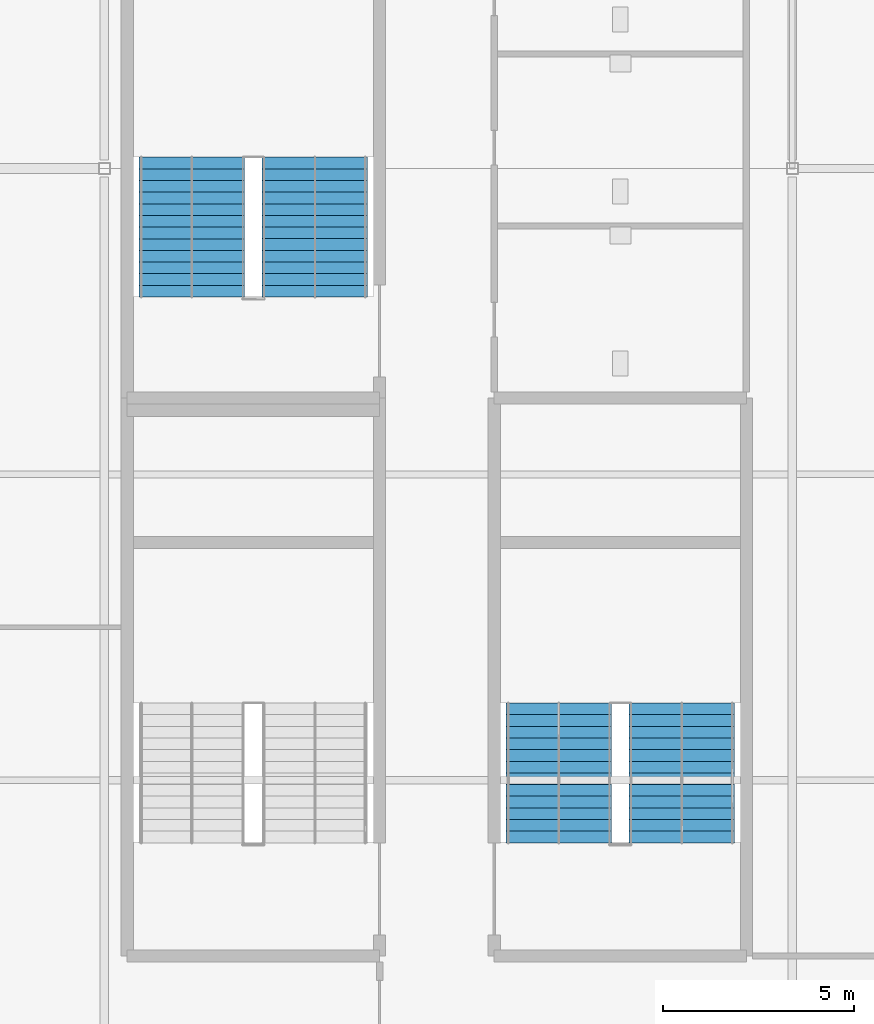
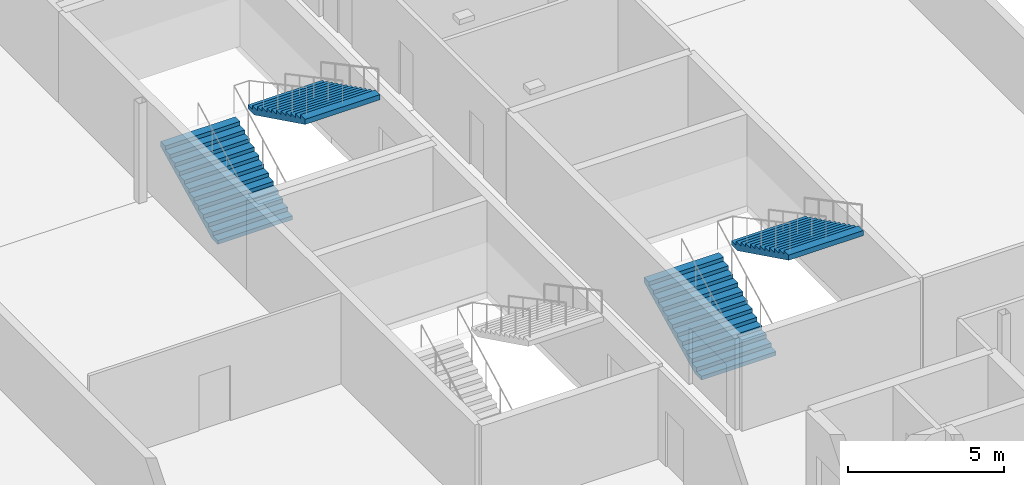
# One storey, part 45 of 55: 4 stair flights, 2 elements without a shape of their own.
"""IFC4 building model written with IfcOpenShell, lengths in metres."""

from ifc_helpers import new_model, si_unit, direction, frame, origin, place, context, subcontext, project, spatial, polygons, material, type_object, element, aggregate, save


model = new_model("IFC4")

# Units and contexts
model_context = context("Model", 3, precision=1e-05, world=origin(), true_north=direction((0.0, 1.0)))
body_context = subcontext(model_context, "Body", "Model", "MODEL_VIEW")
ifc_project = project(units=[si_unit("LENGTHUNIT", "METRE"), si_unit("AREAUNIT", "SQUARE_METRE"), si_unit("VOLUMEUNIT", "CUBIC_METRE"), si_unit("PLANEANGLEUNIT", "RADIAN"), si_unit("MASSUNIT", "GRAM", prefix="KILO")], contexts=[model_context])

# Site, building, storey
site_placement = place(None, origin())
site = spatial("IfcSite", under=ifc_project, at=site_placement, CompositionType="ELEMENT")
building_placement = place(site_placement, origin())
building = spatial("IfcBuilding", under=site, at=building_placement, Name="Kisiwana Market Hall", CompositionType="ELEMENT")
storey_placement = place(building_placement, frame((0.0, 0.0, 37.800048828125)))
storey = spatial("IfcBuildingStorey", under=building, at=storey_placement, Name="L08", CompositionType="ELEMENT", Elevation=37.800048828125)

# Stair, stair flights
ifc_material_1 = material(Name="Concrete C32/40", Category="concrete")
stair_type = type_object("IfcStairType", Name="ST-ESC-3900", PredefinedType="TWO_STRAIGHT_RUN_STAIR", material=ifc_material_1)
stair_1_placement = place(storey_placement, origin())
stair_1 = element("IfcStair", 1, at=stair_1_placement, inside=storey, type_object=stair_type, Name="Escape stair ST-E3-L08", PredefinedType="TWO_STRAIGHT_RUN_STAIR")
ifc_material_2 = material(Name="Concrete C32/40", Category="concrete")
stair_flight_type = type_object("IfcStairFlightType", Name="SF-ESC-3900", PredefinedType="STRAIGHT", material=ifc_material_2)
stair_flight_1_placement = place(storey_placement, frame((182.889892578125, 42.360107421875, 0.0), z_axis=(0.0, 0.0, 1.0), x_axis=(0.0, 1.0, 0.0)))
stair_flight_1 = element("IfcStairFlight", 2, at=stair_flight_1_placement, type_object=stair_flight_type, Name="ST-E3-L08 flight 1", NumberOfRisers=13, NumberOfTreads=12, PredefinedType="STRAIGHT", RiserHeight=0.15, TreadLength=0.305, context=body_context, shape_type="Tessellation", body=[
    polygons([(0.0, -1.380127, 0.0), (0.0, -0.690125, 0.0), (0.0, -0.000122, 0.0), (0.0, 0.68988, 0.0), (0.0, 1.379883, 0.0), (0.0, -1.380127, 0.149902), (0.0, -0.690125, 0.149902), (0.0, -0.000122, 0.149902), (0.0, 0.68988, 0.149902), (0.0, 1.379883, 0.149902), (0.304932, -1.380127, 0.149902), (0.304932, -0.690125, 0.149902), (0.304932, -0.000122, 0.149902), (0.304932, 0.68988, 0.149902), (0.304932, 1.379883, 0.149902), (0.304932, -1.380127, 0.300049), (0.304932, -0.690125, 0.300049), (0.304932, -0.000122, 0.300049), (0.304932, 0.68988, 0.300049), (0.304932, 1.379883, 0.300049), (0.610107, -1.380127, 0.300049), (0.610107, -0.690125, 0.300049), (0.610107, -0.000122, 0.300049), (0.610107, 0.68988, 0.300049), (0.610107, 1.379883, 0.300049), (0.610107, -1.380127, 0.449951), (0.610107, -0.690125, 0.449951), (0.610107, -0.000122, 0.449951), (0.610107, 0.68988, 0.449951), (0.610107, 1.379883, 0.449951), (0.915039, -1.380127, 0.449951), (0.915039, -0.690125, 0.449951), (0.915039, -0.000122, 0.449951), (0.915039, 0.68988, 0.449951), (0.915039, 1.379883, 0.449951), (0.915039, -1.380127, 0.600098), (0.915039, -0.690125, 0.600098), (0.915039, -0.000122, 0.600098), (0.915039, 0.68988, 0.600098), (0.915039, 1.379883, 0.600098), (1.219971, -1.380127, 0.600098), (1.219971, -0.690125, 0.600098), (1.219971, -0.000122, 0.600098), (1.219971, 0.68988, 0.600098), (1.219971, 1.379883, 0.600098), (1.219971, -1.380127, 0.75), (1.219971, -0.690125, 0.75), (1.219971, -0.000122, 0.75), (1.219971, 0.68988, 0.75), (1.219971, 1.379883, 0.75), (1.524902, -1.380127, 0.75), (1.524902, -0.690125, 0.75), (1.524902, -0.000122, 0.75), (1.524902, 0.68988, 0.75), (1.524902, 1.379883, 0.75), (1.524902, -1.380127, 0.899902), (1.524902, -0.690125, 0.899902), (1.524902, -0.000122, 0.899902), (1.524902, 0.68988, 0.899902), (1.524902, 1.379883, 0.899902), (1.830078, -1.380127, 0.899902), (1.830078, -0.690125, 0.899902), (1.830078, -0.000122, 0.899902), (1.830078, 0.68988, 0.899902), (1.830078, 1.379883, 0.899902), (1.830078, -1.380127, 1.050049), (1.830078, -0.690125, 1.050049), (1.830078, -0.000122, 1.050049), (1.830078, 0.68988, 1.050049), (1.830078, 1.379883, 1.050049), (2.13501, -1.380127, 1.050049), (2.13501, -0.690125, 1.050049), (2.13501, -0.000122, 1.050049), (2.13501, 0.68988, 1.050049), (2.13501, 1.379883, 1.050049), (2.13501, -1.380127, 1.199951), (2.13501, -0.690125, 1.199951), (2.13501, -0.000122, 1.199951), (2.13501, 0.68988, 1.199951), (2.13501, 1.379883, 1.199951), (2.439941, -1.380127, 1.199951), (2.439941, -0.690125, 1.199951), (2.439941, -0.000122, 1.199951), (2.439941, 0.68988, 1.199951), (2.439941, 1.379883, 1.199951), (2.439941, -1.380127, 1.350098), (2.439941, -0.690125, 1.350098), (2.439941, -0.000122, 1.350098), (2.439941, 0.68988, 1.350098), (2.439941, 1.379883, 1.350098), (2.745117, -1.380127, 1.350098), (2.745117, -0.690125, 1.350098), (2.745117, -0.000122, 1.350098), (2.745117, 0.68988, 1.350098), (2.745117, 1.379883, 1.350098), (2.745117, -1.380127, 1.5), (2.745117, -0.690125, 1.5), (2.745117, -0.000122, 1.5), (2.745117, 0.68988, 1.5), (2.745117, 1.379883, 1.5), (3.050049, -1.380127, 1.5), (3.050049, -0.690125, 1.5), (3.050049, -0.000122, 1.5), (3.050049, 0.68988, 1.5), (3.050049, 1.379883, 1.5), (3.050049, -1.380127, 1.649902), (3.050049, -0.690125, 1.649902), (3.050049, -0.000122, 1.649902), (3.050049, 0.68988, 1.649902), (3.050049, 1.379883, 1.649902), (3.35498, -1.380127, 1.649902), (3.35498, -0.690125, 1.649902), (3.35498, -0.000122, 1.649902), (3.35498, 0.68988, 1.649902), (3.35498, 1.379883, 1.649902), (3.35498, -1.380127, 1.800049), (3.35498, -0.690125, 1.800049), (3.35498, -0.000122, 1.800049), (3.35498, 0.68988, 1.800049), (3.35498, 1.379883, 1.800049), (3.659912, -1.380127, 1.800049), (3.659912, -0.690125, 1.800049), (3.659912, -0.000122, 1.800049), (3.659912, 0.68988, 1.800049), (3.659912, 1.379883, 1.800049), (3.659912, -1.380127, 1.599365), (3.659912, -0.690125, 1.599365), (3.659912, -0.000122, 1.599365), (3.659912, 0.68988, 1.599365), (3.659912, 1.379883, 1.599365), (0.407715, -1.380127, 0.0), (0.407715, -0.690125, 0.0), (0.407715, -0.000122, 0.0), (0.407715, 0.68988, 0.0), (0.407715, 1.379883, 0.0)], [[[1, 6, 7, 2]], [[2, 7, 8, 3]], [[3, 8, 9, 4]], [[4, 9, 10, 5]], [[6, 11, 12, 7]], [[7, 12, 13, 8]], [[8, 13, 14, 9]], [[9, 14, 15, 10]], [[11, 16, 17, 12]], [[12, 17, 18, 13]], [[13, 18, 19, 14]], [[14, 19, 20, 15]], [[16, 21, 22, 17]], [[17, 22, 23, 18]], [[18, 23, 24, 19]], [[19, 24, 25, 20]], [[21, 26, 27, 22]], [[22, 27, 28, 23]], [[23, 28, 29, 24]], [[24, 29, 30, 25]], [[26, 31, 32, 27]], [[27, 32, 33, 28]], [[28, 33, 34, 29]], [[29, 34, 35, 30]], [[31, 36, 37, 32]], [[32, 37, 38, 33]], [[33, 38, 39, 34]], [[34, 39, 40, 35]], [[36, 41, 42, 37]], [[37, 42, 43, 38]], [[38, 43, 44, 39]], [[39, 44, 45, 40]], [[41, 46, 47, 42]], [[42, 47, 48, 43]], [[43, 48, 49, 44]], [[44, 49, 50, 45]], [[46, 51, 52, 47]], [[47, 52, 53, 48]], [[48, 53, 54, 49]], [[49, 54, 55, 50]], [[51, 56, 57, 52]], [[52, 57, 58, 53]], [[53, 58, 59, 54]], [[54, 59, 60, 55]], [[56, 61, 62, 57]], [[57, 62, 63, 58]], [[58, 63, 64, 59]], [[59, 64, 65, 60]], [[61, 66, 67, 62]], [[62, 67, 68, 63]], [[63, 68, 69, 64]], [[64, 69, 70, 65]], [[66, 71, 72, 67]], [[67, 72, 73, 68]], [[68, 73, 74, 69]], [[69, 74, 75, 70]], [[71, 76, 77, 72]], [[72, 77, 78, 73]], [[73, 78, 79, 74]], [[74, 79, 80, 75]], [[76, 81, 82, 77]], [[77, 82, 83, 78]], [[78, 83, 84, 79]], [[79, 84, 85, 80]], [[81, 86, 87, 82]], [[82, 87, 88, 83]], [[83, 88, 89, 84]], [[84, 89, 90, 85]], [[86, 91, 92, 87]], [[87, 92, 93, 88]], [[88, 93, 94, 89]], [[89, 94, 95, 90]], [[91, 96, 97, 92]], [[92, 97, 98, 93]], [[93, 98, 99, 94]], [[94, 99, 100, 95]], [[96, 101, 102, 97]], [[97, 102, 103, 98]], [[98, 103, 104, 99]], [[99, 104, 105, 100]], [[101, 106, 107, 102]], [[102, 107, 108, 103]], [[103, 108, 109, 104]], [[104, 109, 110, 105]], [[106, 111, 112, 107]], [[107, 112, 113, 108]], [[108, 113, 114, 109]], [[109, 114, 115, 110]], [[111, 116, 117, 112]], [[112, 117, 118, 113]], [[113, 118, 119, 114]], [[114, 119, 120, 115]], [[116, 121, 122, 117]], [[117, 122, 123, 118]], [[118, 123, 124, 119]], [[119, 124, 125, 120]], [[121, 126, 127, 122]], [[122, 127, 128, 123]], [[123, 128, 129, 124]], [[124, 129, 130, 125]], [[126, 131, 132, 127]], [[127, 132, 133, 128]], [[128, 133, 134, 129]], [[129, 134, 135, 130]], [[131, 1, 2, 132]], [[132, 2, 3, 133]], [[133, 3, 4, 134]], [[134, 4, 5, 135]], [[131, 126, 121, 116, 111, 106, 101, 96, 91, 86, 81, 76, 71, 66, 61, 56, 51, 46, 41, 36, 31, 26, 21, 16, 11, 6, 1]], [[5, 10, 15, 20, 25, 30, 35, 40, 45, 50, 55, 60, 65, 70, 75, 80, 85, 90, 95, 100, 105, 110, 115, 120, 125, 130, 135]]], closed=True),
])
stair_flight_2_placement = place(storey_placement, frame((186.110107421875, 46.02001953125, 1.949951171875), z_axis=(0.0, 0.0, 1.0), x_axis=(0.0, -1.0, 0.0)))
stair_flight_2 = element("IfcStairFlight", 3, at=stair_flight_2_placement, type_object=stair_flight_type, Name="ST-E3-L08 flight 2", NumberOfRisers=13, NumberOfTreads=12, PredefinedType="STRAIGHT", RiserHeight=0.15, TreadLength=0.305, context=body_context, shape_type="Tessellation", body=[
    polygons([(0.0, -1.380127, 0.0), (0.0, -0.690125, 0.0), (0.0, -0.000122, 0.0), (0.0, 0.68988, 0.0), (0.0, 1.379883, 0.0), (0.0, -1.380127, 0.149902), (0.0, -0.690125, 0.149902), (0.0, -0.000122, 0.149902), (0.0, 0.68988, 0.149902), (0.0, 1.379883, 0.149902), (0.304932, -1.380127, 0.149902), (0.304932, -0.690125, 0.149902), (0.304932, -0.000122, 0.149902), (0.304932, 0.68988, 0.149902), (0.304932, 1.379883, 0.149902), (0.304932, -1.380127, 0.300049), (0.304932, -0.690125, 0.300049), (0.304932, -0.000122, 0.300049), (0.304932, 0.68988, 0.300049), (0.304932, 1.379883, 0.300049), (0.610107, -1.380127, 0.300049), (0.610107, -0.690125, 0.300049), (0.610107, -0.000122, 0.300049), (0.610107, 0.68988, 0.300049), (0.610107, 1.379883, 0.300049), (0.610107, -1.380127, 0.449951), (0.610107, -0.690125, 0.449951), (0.610107, -0.000122, 0.449951), (0.610107, 0.68988, 0.449951), (0.610107, 1.379883, 0.449951), (0.915039, -1.380127, 0.449951), (0.915039, -0.690125, 0.449951), (0.915039, -0.000122, 0.449951), (0.915039, 0.68988, 0.449951), (0.915039, 1.379883, 0.449951), (0.915039, -1.380127, 0.600098), (0.915039, -0.690125, 0.600098), (0.915039, -0.000122, 0.600098), (0.915039, 0.68988, 0.600098), (0.915039, 1.379883, 0.600098), (1.219971, -1.380127, 0.600098), (1.219971, -0.690125, 0.600098), (1.219971, -0.000122, 0.600098), (1.219971, 0.68988, 0.600098), (1.219971, 1.379883, 0.600098), (1.219971, -1.380127, 0.75), (1.219971, -0.690125, 0.75), (1.219971, -0.000122, 0.75), (1.219971, 0.68988, 0.75), (1.219971, 1.379883, 0.75), (1.524902, -1.380127, 0.75), (1.524902, -0.690125, 0.75), (1.524902, -0.000122, 0.75), (1.524902, 0.68988, 0.75), (1.524902, 1.379883, 0.75), (1.524902, -1.380127, 0.899902), (1.524902, -0.690125, 0.899902), (1.524902, -0.000122, 0.899902), (1.524902, 0.68988, 0.899902), (1.524902, 1.379883, 0.899902), (1.830078, -1.380127, 0.899902), (1.830078, -0.690125, 0.899902), (1.830078, -0.000122, 0.899902), (1.830078, 0.68988, 0.899902), (1.830078, 1.379883, 0.899902), (1.830078, -1.380127, 1.050049), (1.830078, -0.690125, 1.050049), (1.830078, -0.000122, 1.050049), (1.830078, 0.68988, 1.050049), (1.830078, 1.379883, 1.050049), (2.13501, -1.380127, 1.050049), (2.13501, -0.690125, 1.050049), (2.13501, -0.000122, 1.050049), (2.13501, 0.68988, 1.050049), (2.13501, 1.379883, 1.050049), (2.13501, -1.380127, 1.199951), (2.13501, -0.690125, 1.199951), (2.13501, -0.000122, 1.199951), (2.13501, 0.68988, 1.199951), (2.13501, 1.379883, 1.199951), (2.439941, -1.380127, 1.199951), (2.439941, -0.690125, 1.199951), (2.439941, -0.000122, 1.199951), (2.439941, 0.68988, 1.199951), (2.439941, 1.379883, 1.199951), (2.439941, -1.380127, 1.350098), (2.439941, -0.690125, 1.350098), (2.439941, -0.000122, 1.350098), (2.439941, 0.68988, 1.350098), (2.439941, 1.379883, 1.350098), (2.745117, -1.380127, 1.350098), (2.745117, -0.690125, 1.350098), (2.745117, -0.000122, 1.350098), (2.745117, 0.68988, 1.350098), (2.745117, 1.379883, 1.350098), (2.745117, -1.380127, 1.5), (2.745117, -0.690125, 1.5), (2.745117, -0.000122, 1.5), (2.745117, 0.68988, 1.5), (2.745117, 1.379883, 1.5), (3.050049, -1.380127, 1.5), (3.050049, -0.690125, 1.5), (3.050049, -0.000122, 1.5), (3.050049, 0.68988, 1.5), (3.050049, 1.379883, 1.5), (3.050049, -1.380127, 1.649902), (3.050049, -0.690125, 1.649902), (3.050049, -0.000122, 1.649902), (3.050049, 0.68988, 1.649902), (3.050049, 1.379883, 1.649902), (3.35498, -1.380127, 1.649902), (3.35498, -0.690125, 1.649902), (3.35498, -0.000122, 1.649902), (3.35498, 0.68988, 1.649902), (3.35498, 1.379883, 1.649902), (3.35498, -1.380127, 1.800049), (3.35498, -0.690125, 1.800049), (3.35498, -0.000122, 1.800049), (3.35498, 0.68988, 1.800049), (3.35498, 1.379883, 1.800049), (3.659912, -1.380127, 1.800049), (3.659912, -0.690125, 1.800049), (3.659912, -0.000122, 1.800049), (3.659912, 0.68988, 1.800049), (3.659912, 1.379883, 1.800049), (3.659912, -1.380127, 1.599365), (3.659912, -0.690125, 1.599365), (3.659912, -0.000122, 1.599365), (3.659912, 0.68988, 1.599365), (3.659912, 1.379883, 1.599365), (0.407715, -1.380127, 0.0), (0.407715, -0.690125, 0.0), (0.407715, -0.000122, 0.0), (0.407715, 0.68988, 0.0), (0.407715, 1.379883, 0.0)], [[[1, 6, 7, 2]], [[2, 7, 8, 3]], [[3, 8, 9, 4]], [[4, 9, 10, 5]], [[6, 11, 12, 7]], [[7, 12, 13, 8]], [[8, 13, 14, 9]], [[9, 14, 15, 10]], [[11, 16, 17, 12]], [[12, 17, 18, 13]], [[13, 18, 19, 14]], [[14, 19, 20, 15]], [[16, 21, 22, 17]], [[17, 22, 23, 18]], [[18, 23, 24, 19]], [[19, 24, 25, 20]], [[21, 26, 27, 22]], [[22, 27, 28, 23]], [[23, 28, 29, 24]], [[24, 29, 30, 25]], [[26, 31, 32, 27]], [[27, 32, 33, 28]], [[28, 33, 34, 29]], [[29, 34, 35, 30]], [[31, 36, 37, 32]], [[32, 37, 38, 33]], [[33, 38, 39, 34]], [[34, 39, 40, 35]], [[36, 41, 42, 37]], [[37, 42, 43, 38]], [[38, 43, 44, 39]], [[39, 44, 45, 40]], [[41, 46, 47, 42]], [[42, 47, 48, 43]], [[43, 48, 49, 44]], [[44, 49, 50, 45]], [[46, 51, 52, 47]], [[47, 52, 53, 48]], [[48, 53, 54, 49]], [[49, 54, 55, 50]], [[51, 56, 57, 52]], [[52, 57, 58, 53]], [[53, 58, 59, 54]], [[54, 59, 60, 55]], [[56, 61, 62, 57]], [[57, 62, 63, 58]], [[58, 63, 64, 59]], [[59, 64, 65, 60]], [[61, 66, 67, 62]], [[62, 67, 68, 63]], [[63, 68, 69, 64]], [[64, 69, 70, 65]], [[66, 71, 72, 67]], [[67, 72, 73, 68]], [[68, 73, 74, 69]], [[69, 74, 75, 70]], [[71, 76, 77, 72]], [[72, 77, 78, 73]], [[73, 78, 79, 74]], [[74, 79, 80, 75]], [[76, 81, 82, 77]], [[77, 82, 83, 78]], [[78, 83, 84, 79]], [[79, 84, 85, 80]], [[81, 86, 87, 82]], [[82, 87, 88, 83]], [[83, 88, 89, 84]], [[84, 89, 90, 85]], [[86, 91, 92, 87]], [[87, 92, 93, 88]], [[88, 93, 94, 89]], [[89, 94, 95, 90]], [[91, 96, 97, 92]], [[92, 97, 98, 93]], [[93, 98, 99, 94]], [[94, 99, 100, 95]], [[96, 101, 102, 97]], [[97, 102, 103, 98]], [[98, 103, 104, 99]], [[99, 104, 105, 100]], [[101, 106, 107, 102]], [[102, 107, 108, 103]], [[103, 108, 109, 104]], [[104, 109, 110, 105]], [[106, 111, 112, 107]], [[107, 112, 113, 108]], [[108, 113, 114, 109]], [[109, 114, 115, 110]], [[111, 116, 117, 112]], [[112, 117, 118, 113]], [[113, 118, 119, 114]], [[114, 119, 120, 115]], [[116, 121, 122, 117]], [[117, 122, 123, 118]], [[118, 123, 124, 119]], [[119, 124, 125, 120]], [[121, 126, 127, 122]], [[122, 127, 128, 123]], [[123, 128, 129, 124]], [[124, 129, 130, 125]], [[126, 131, 132, 127]], [[127, 132, 133, 128]], [[128, 133, 134, 129]], [[129, 134, 135, 130]], [[131, 1, 2, 132]], [[132, 2, 3, 133]], [[133, 3, 4, 134]], [[134, 4, 5, 135]], [[131, 126, 121, 116, 111, 106, 101, 96, 91, 86, 81, 76, 71, 66, 61, 56, 51, 46, 41, 36, 31, 26, 21, 16, 11, 6, 1]], [[5, 10, 15, 20, 25, 30, 35, 40, 45, 50, 55, 60, 65, 70, 75, 80, 85, 90, 95, 100, 105, 110, 115, 120, 125, 130, 135]]], closed=True),
])
aggregate(stair_1, [stair_flight_1, stair_flight_2])

stair_2_placement = place(storey_placement, origin())
stair_2 = element("IfcStair", 4, at=stair_2_placement, inside=storey, type_object=stair_type, Name="Escape stair ST-E5-L08", PredefinedType="TWO_STRAIGHT_RUN_STAIR")
stair_flight_3_placement = place(storey_placement, frame((173.2900390625, 56.639892578125, 0.0), z_axis=(0.0, 0.0, 1.0), x_axis=(0.0, 1.0, 0.0)))
stair_flight_3 = element("IfcStairFlight", 5, at=stair_flight_3_placement, type_object=stair_flight_type, Name="ST-E5-L08 flight 1", NumberOfRisers=13, NumberOfTreads=12, PredefinedType="STRAIGHT", RiserHeight=0.15, TreadLength=0.305, context=body_context, shape_type="Tessellation", body=[
    polygons([(0.0, -1.380127, 0.0), (0.0, -0.690125, 0.0), (0.0, -0.000122, 0.0), (0.0, 0.68988, 0.0), (0.0, 1.379883, 0.0), (0.0, -1.380127, 0.149902), (0.0, -0.690125, 0.149902), (0.0, -0.000122, 0.149902), (0.0, 0.68988, 0.149902), (0.0, 1.379883, 0.149902), (0.304932, -1.380127, 0.149902), (0.304932, -0.690125, 0.149902), (0.304932, -0.000122, 0.149902), (0.304932, 0.68988, 0.149902), (0.304932, 1.379883, 0.149902), (0.304932, -1.380127, 0.300049), (0.304932, -0.690125, 0.300049), (0.304932, -0.000122, 0.300049), (0.304932, 0.68988, 0.300049), (0.304932, 1.379883, 0.300049), (0.610107, -1.380127, 0.300049), (0.610107, -0.690125, 0.300049), (0.610107, -0.000122, 0.300049), (0.610107, 0.68988, 0.300049), (0.610107, 1.379883, 0.300049), (0.610107, -1.380127, 0.449951), (0.610107, -0.690125, 0.449951), (0.610107, -0.000122, 0.449951), (0.610107, 0.68988, 0.449951), (0.610107, 1.379883, 0.449951), (0.915039, -1.380127, 0.449951), (0.915039, -0.690125, 0.449951), (0.915039, -0.000122, 0.449951), (0.915039, 0.68988, 0.449951), (0.915039, 1.379883, 0.449951), (0.915039, -1.380127, 0.600098), (0.915039, -0.690125, 0.600098), (0.915039, -0.000122, 0.600098), (0.915039, 0.68988, 0.600098), (0.915039, 1.379883, 0.600098), (1.219971, -1.380127, 0.600098), (1.219971, -0.690125, 0.600098), (1.219971, -0.000122, 0.600098), (1.219971, 0.68988, 0.600098), (1.219971, 1.379883, 0.600098), (1.219971, -1.380127, 0.75), (1.219971, -0.690125, 0.75), (1.219971, -0.000122, 0.75), (1.219971, 0.68988, 0.75), (1.219971, 1.379883, 0.75), (1.524902, -1.380127, 0.75), (1.524902, -0.690125, 0.75), (1.524902, -0.000122, 0.75), (1.524902, 0.68988, 0.75), (1.524902, 1.379883, 0.75), (1.524902, -1.380127, 0.899902), (1.524902, -0.690125, 0.899902), (1.524902, -0.000122, 0.899902), (1.524902, 0.68988, 0.899902), (1.524902, 1.379883, 0.899902), (1.830078, -1.380127, 0.899902), (1.830078, -0.690125, 0.899902), (1.830078, -0.000122, 0.899902), (1.830078, 0.68988, 0.899902), (1.830078, 1.379883, 0.899902), (1.830078, -1.380127, 1.050049), (1.830078, -0.690125, 1.050049), (1.830078, -0.000122, 1.050049), (1.830078, 0.68988, 1.050049), (1.830078, 1.379883, 1.050049), (2.13501, -1.380127, 1.050049), (2.13501, -0.690125, 1.050049), (2.13501, -0.000122, 1.050049), (2.13501, 0.68988, 1.050049), (2.13501, 1.379883, 1.050049), (2.13501, -1.380127, 1.199951), (2.13501, -0.690125, 1.199951), (2.13501, -0.000122, 1.199951), (2.13501, 0.68988, 1.199951), (2.13501, 1.379883, 1.199951), (2.439941, -1.380127, 1.199951), (2.439941, -0.690125, 1.199951), (2.439941, -0.000122, 1.199951), (2.439941, 0.68988, 1.199951), (2.439941, 1.379883, 1.199951), (2.439941, -1.380127, 1.350098), (2.439941, -0.690125, 1.350098), (2.439941, -0.000122, 1.350098), (2.439941, 0.68988, 1.350098), (2.439941, 1.379883, 1.350098), (2.745117, -1.380127, 1.350098), (2.745117, -0.690125, 1.350098), (2.745117, -0.000122, 1.350098), (2.745117, 0.68988, 1.350098), (2.745117, 1.379883, 1.350098), (2.745117, -1.380127, 1.5), (2.745117, -0.690125, 1.5), (2.745117, -0.000122, 1.5), (2.745117, 0.68988, 1.5), (2.745117, 1.379883, 1.5), (3.050049, -1.380127, 1.5), (3.050049, -0.690125, 1.5), (3.050049, -0.000122, 1.5), (3.050049, 0.68988, 1.5), (3.050049, 1.379883, 1.5), (3.050049, -1.380127, 1.649902), (3.050049, -0.690125, 1.649902), (3.050049, -0.000122, 1.649902), (3.050049, 0.68988, 1.649902), (3.050049, 1.379883, 1.649902), (3.35498, -1.380127, 1.649902), (3.35498, -0.690125, 1.649902), (3.35498, -0.000122, 1.649902), (3.35498, 0.68988, 1.649902), (3.35498, 1.379883, 1.649902), (3.35498, -1.380127, 1.800049), (3.35498, -0.690125, 1.800049), (3.35498, -0.000122, 1.800049), (3.35498, 0.68988, 1.800049), (3.35498, 1.379883, 1.800049), (3.659912, -1.380127, 1.800049), (3.659912, -0.690125, 1.800049), (3.659912, -0.000122, 1.800049), (3.659912, 0.68988, 1.800049), (3.659912, 1.379883, 1.800049), (3.659912, -1.380127, 1.599365), (3.659912, -0.690125, 1.599365), (3.659912, -0.000122, 1.599365), (3.659912, 0.68988, 1.599365), (3.659912, 1.379883, 1.599365), (0.407715, -1.380127, 0.0), (0.407715, -0.690125, 0.0), (0.407715, -0.000122, 0.0), (0.407715, 0.68988, 0.0), (0.407715, 1.379883, 0.0)], [[[1, 6, 7, 2]], [[2, 7, 8, 3]], [[3, 8, 9, 4]], [[4, 9, 10, 5]], [[6, 11, 12, 7]], [[7, 12, 13, 8]], [[8, 13, 14, 9]], [[9, 14, 15, 10]], [[11, 16, 17, 12]], [[12, 17, 18, 13]], [[13, 18, 19, 14]], [[14, 19, 20, 15]], [[16, 21, 22, 17]], [[17, 22, 23, 18]], [[18, 23, 24, 19]], [[19, 24, 25, 20]], [[21, 26, 27, 22]], [[22, 27, 28, 23]], [[23, 28, 29, 24]], [[24, 29, 30, 25]], [[26, 31, 32, 27]], [[27, 32, 33, 28]], [[28, 33, 34, 29]], [[29, 34, 35, 30]], [[31, 36, 37, 32]], [[32, 37, 38, 33]], [[33, 38, 39, 34]], [[34, 39, 40, 35]], [[36, 41, 42, 37]], [[37, 42, 43, 38]], [[38, 43, 44, 39]], [[39, 44, 45, 40]], [[41, 46, 47, 42]], [[42, 47, 48, 43]], [[43, 48, 49, 44]], [[44, 49, 50, 45]], [[46, 51, 52, 47]], [[47, 52, 53, 48]], [[48, 53, 54, 49]], [[49, 54, 55, 50]], [[51, 56, 57, 52]], [[52, 57, 58, 53]], [[53, 58, 59, 54]], [[54, 59, 60, 55]], [[56, 61, 62, 57]], [[57, 62, 63, 58]], [[58, 63, 64, 59]], [[59, 64, 65, 60]], [[61, 66, 67, 62]], [[62, 67, 68, 63]], [[63, 68, 69, 64]], [[64, 69, 70, 65]], [[66, 71, 72, 67]], [[67, 72, 73, 68]], [[68, 73, 74, 69]], [[69, 74, 75, 70]], [[71, 76, 77, 72]], [[72, 77, 78, 73]], [[73, 78, 79, 74]], [[74, 79, 80, 75]], [[76, 81, 82, 77]], [[77, 82, 83, 78]], [[78, 83, 84, 79]], [[79, 84, 85, 80]], [[81, 86, 87, 82]], [[82, 87, 88, 83]], [[83, 88, 89, 84]], [[84, 89, 90, 85]], [[86, 91, 92, 87]], [[87, 92, 93, 88]], [[88, 93, 94, 89]], [[89, 94, 95, 90]], [[91, 96, 97, 92]], [[92, 97, 98, 93]], [[93, 98, 99, 94]], [[94, 99, 100, 95]], [[96, 101, 102, 97]], [[97, 102, 103, 98]], [[98, 103, 104, 99]], [[99, 104, 105, 100]], [[101, 106, 107, 102]], [[102, 107, 108, 103]], [[103, 108, 109, 104]], [[104, 109, 110, 105]], [[106, 111, 112, 107]], [[107, 112, 113, 108]], [[108, 113, 114, 109]], [[109, 114, 115, 110]], [[111, 116, 117, 112]], [[112, 117, 118, 113]], [[113, 118, 119, 114]], [[114, 119, 120, 115]], [[116, 121, 122, 117]], [[117, 122, 123, 118]], [[118, 123, 124, 119]], [[119, 124, 125, 120]], [[121, 126, 127, 122]], [[122, 127, 128, 123]], [[123, 128, 129, 124]], [[124, 129, 130, 125]], [[126, 131, 132, 127]], [[127, 132, 133, 128]], [[128, 133, 134, 129]], [[129, 134, 135, 130]], [[131, 1, 2, 132]], [[132, 2, 3, 133]], [[133, 3, 4, 134]], [[134, 4, 5, 135]], [[131, 126, 121, 116, 111, 106, 101, 96, 91, 86, 81, 76, 71, 66, 61, 56, 51, 46, 41, 36, 31, 26, 21, 16, 11, 6, 1]], [[5, 10, 15, 20, 25, 30, 35, 40, 45, 50, 55, 60, 65, 70, 75, 80, 85, 90, 95, 100, 105, 110, 115, 120, 125, 130, 135]]], closed=True),
])
stair_flight_4_placement = place(storey_placement, frame((176.510009765625, 60.300048828125, 1.949951171875), z_axis=(0.0, 0.0, 1.0), x_axis=(0.0, -1.0, 0.0)))
stair_flight_4 = element("IfcStairFlight", 6, at=stair_flight_4_placement, type_object=stair_flight_type, Name="ST-E5-L08 flight 2", NumberOfRisers=13, NumberOfTreads=12, PredefinedType="STRAIGHT", RiserHeight=0.15, TreadLength=0.305, context=body_context, shape_type="Tessellation", body=[
    polygons([(0.0, -1.380127, 0.0), (0.0, -0.690125, 0.0), (0.0, -0.000122, 0.0), (0.0, 0.68988, 0.0), (0.0, 1.379883, 0.0), (0.0, -1.380127, 0.149902), (0.0, -0.690125, 0.149902), (0.0, -0.000122, 0.149902), (0.0, 0.68988, 0.149902), (0.0, 1.379883, 0.149902), (0.304932, -1.380127, 0.149902), (0.304932, -0.690125, 0.149902), (0.304932, -0.000122, 0.149902), (0.304932, 0.68988, 0.149902), (0.304932, 1.379883, 0.149902), (0.304932, -1.380127, 0.300049), (0.304932, -0.690125, 0.300049), (0.304932, -0.000122, 0.300049), (0.304932, 0.68988, 0.300049), (0.304932, 1.379883, 0.300049), (0.610107, -1.380127, 0.300049), (0.610107, -0.690125, 0.300049), (0.610107, -0.000122, 0.300049), (0.610107, 0.68988, 0.300049), (0.610107, 1.379883, 0.300049), (0.610107, -1.380127, 0.449951), (0.610107, -0.690125, 0.449951), (0.610107, -0.000122, 0.449951), (0.610107, 0.68988, 0.449951), (0.610107, 1.379883, 0.449951), (0.915039, -1.380127, 0.449951), (0.915039, -0.690125, 0.449951), (0.915039, -0.000122, 0.449951), (0.915039, 0.68988, 0.449951), (0.915039, 1.379883, 0.449951), (0.915039, -1.380127, 0.600098), (0.915039, -0.690125, 0.600098), (0.915039, -0.000122, 0.600098), (0.915039, 0.68988, 0.600098), (0.915039, 1.379883, 0.600098), (1.219971, -1.380127, 0.600098), (1.219971, -0.690125, 0.600098), (1.219971, -0.000122, 0.600098), (1.219971, 0.68988, 0.600098), (1.219971, 1.379883, 0.600098), (1.219971, -1.380127, 0.75), (1.219971, -0.690125, 0.75), (1.219971, -0.000122, 0.75), (1.219971, 0.68988, 0.75), (1.219971, 1.379883, 0.75), (1.524902, -1.380127, 0.75), (1.524902, -0.690125, 0.75), (1.524902, -0.000122, 0.75), (1.524902, 0.68988, 0.75), (1.524902, 1.379883, 0.75), (1.524902, -1.380127, 0.899902), (1.524902, -0.690125, 0.899902), (1.524902, -0.000122, 0.899902), (1.524902, 0.68988, 0.899902), (1.524902, 1.379883, 0.899902), (1.830078, -1.380127, 0.899902), (1.830078, -0.690125, 0.899902), (1.830078, -0.000122, 0.899902), (1.830078, 0.68988, 0.899902), (1.830078, 1.379883, 0.899902), (1.830078, -1.380127, 1.050049), (1.830078, -0.690125, 1.050049), (1.830078, -0.000122, 1.050049), (1.830078, 0.68988, 1.050049), (1.830078, 1.379883, 1.050049), (2.13501, -1.380127, 1.050049), (2.13501, -0.690125, 1.050049), (2.13501, -0.000122, 1.050049), (2.13501, 0.68988, 1.050049), (2.13501, 1.379883, 1.050049), (2.13501, -1.380127, 1.199951), (2.13501, -0.690125, 1.199951), (2.13501, -0.000122, 1.199951), (2.13501, 0.68988, 1.199951), (2.13501, 1.379883, 1.199951), (2.439941, -1.380127, 1.199951), (2.439941, -0.690125, 1.199951), (2.439941, -0.000122, 1.199951), (2.439941, 0.68988, 1.199951), (2.439941, 1.379883, 1.199951), (2.439941, -1.380127, 1.350098), (2.439941, -0.690125, 1.350098), (2.439941, -0.000122, 1.350098), (2.439941, 0.68988, 1.350098), (2.439941, 1.379883, 1.350098), (2.745117, -1.380127, 1.350098), (2.745117, -0.690125, 1.350098), (2.745117, -0.000122, 1.350098), (2.745117, 0.68988, 1.350098), (2.745117, 1.379883, 1.350098), (2.745117, -1.380127, 1.5), (2.745117, -0.690125, 1.5), (2.745117, -0.000122, 1.5), (2.745117, 0.68988, 1.5), (2.745117, 1.379883, 1.5), (3.050049, -1.380127, 1.5), (3.050049, -0.690125, 1.5), (3.050049, -0.000122, 1.5), (3.050049, 0.68988, 1.5), (3.050049, 1.379883, 1.5), (3.050049, -1.380127, 1.649902), (3.050049, -0.690125, 1.649902), (3.050049, -0.000122, 1.649902), (3.050049, 0.68988, 1.649902), (3.050049, 1.379883, 1.649902), (3.35498, -1.380127, 1.649902), (3.35498, -0.690125, 1.649902), (3.35498, -0.000122, 1.649902), (3.35498, 0.68988, 1.649902), (3.35498, 1.379883, 1.649902), (3.35498, -1.380127, 1.800049), (3.35498, -0.690125, 1.800049), (3.35498, -0.000122, 1.800049), (3.35498, 0.68988, 1.800049), (3.35498, 1.379883, 1.800049), (3.659912, -1.380127, 1.800049), (3.659912, -0.690125, 1.800049), (3.659912, -0.000122, 1.800049), (3.659912, 0.68988, 1.800049), (3.659912, 1.379883, 1.800049), (3.659912, -1.380127, 1.599365), (3.659912, -0.690125, 1.599365), (3.659912, -0.000122, 1.599365), (3.659912, 0.68988, 1.599365), (3.659912, 1.379883, 1.599365), (0.407715, -1.380127, 0.0), (0.407715, -0.690125, 0.0), (0.407715, -0.000122, 0.0), (0.407715, 0.68988, 0.0), (0.407715, 1.379883, 0.0)], [[[1, 6, 7, 2]], [[2, 7, 8, 3]], [[3, 8, 9, 4]], [[4, 9, 10, 5]], [[6, 11, 12, 7]], [[7, 12, 13, 8]], [[8, 13, 14, 9]], [[9, 14, 15, 10]], [[11, 16, 17, 12]], [[12, 17, 18, 13]], [[13, 18, 19, 14]], [[14, 19, 20, 15]], [[16, 21, 22, 17]], [[17, 22, 23, 18]], [[18, 23, 24, 19]], [[19, 24, 25, 20]], [[21, 26, 27, 22]], [[22, 27, 28, 23]], [[23, 28, 29, 24]], [[24, 29, 30, 25]], [[26, 31, 32, 27]], [[27, 32, 33, 28]], [[28, 33, 34, 29]], [[29, 34, 35, 30]], [[31, 36, 37, 32]], [[32, 37, 38, 33]], [[33, 38, 39, 34]], [[34, 39, 40, 35]], [[36, 41, 42, 37]], [[37, 42, 43, 38]], [[38, 43, 44, 39]], [[39, 44, 45, 40]], [[41, 46, 47, 42]], [[42, 47, 48, 43]], [[43, 48, 49, 44]], [[44, 49, 50, 45]], [[46, 51, 52, 47]], [[47, 52, 53, 48]], [[48, 53, 54, 49]], [[49, 54, 55, 50]], [[51, 56, 57, 52]], [[52, 57, 58, 53]], [[53, 58, 59, 54]], [[54, 59, 60, 55]], [[56, 61, 62, 57]], [[57, 62, 63, 58]], [[58, 63, 64, 59]], [[59, 64, 65, 60]], [[61, 66, 67, 62]], [[62, 67, 68, 63]], [[63, 68, 69, 64]], [[64, 69, 70, 65]], [[66, 71, 72, 67]], [[67, 72, 73, 68]], [[68, 73, 74, 69]], [[69, 74, 75, 70]], [[71, 76, 77, 72]], [[72, 77, 78, 73]], [[73, 78, 79, 74]], [[74, 79, 80, 75]], [[76, 81, 82, 77]], [[77, 82, 83, 78]], [[78, 83, 84, 79]], [[79, 84, 85, 80]], [[81, 86, 87, 82]], [[82, 87, 88, 83]], [[83, 88, 89, 84]], [[84, 89, 90, 85]], [[86, 91, 92, 87]], [[87, 92, 93, 88]], [[88, 93, 94, 89]], [[89, 94, 95, 90]], [[91, 96, 97, 92]], [[92, 97, 98, 93]], [[93, 98, 99, 94]], [[94, 99, 100, 95]], [[96, 101, 102, 97]], [[97, 102, 103, 98]], [[98, 103, 104, 99]], [[99, 104, 105, 100]], [[101, 106, 107, 102]], [[102, 107, 108, 103]], [[103, 108, 109, 104]], [[104, 109, 110, 105]], [[106, 111, 112, 107]], [[107, 112, 113, 108]], [[108, 113, 114, 109]], [[109, 114, 115, 110]], [[111, 116, 117, 112]], [[112, 117, 118, 113]], [[113, 118, 119, 114]], [[114, 119, 120, 115]], [[116, 121, 122, 117]], [[117, 122, 123, 118]], [[118, 123, 124, 119]], [[119, 124, 125, 120]], [[121, 126, 127, 122]], [[122, 127, 128, 123]], [[123, 128, 129, 124]], [[124, 129, 130, 125]], [[126, 131, 132, 127]], [[127, 132, 133, 128]], [[128, 133, 134, 129]], [[129, 134, 135, 130]], [[131, 1, 2, 132]], [[132, 2, 3, 133]], [[133, 3, 4, 134]], [[134, 4, 5, 135]], [[131, 126, 121, 116, 111, 106, 101, 96, 91, 86, 81, 76, 71, 66, 61, 56, 51, 46, 41, 36, 31, 26, 21, 16, 11, 6, 1]], [[5, 10, 15, 20, 25, 30, 35, 40, 45, 50, 55, 60, 65, 70, 75, 80, 85, 90, 95, 100, 105, 110, 115, 120, 125, 130, 135]]], closed=True),
])
aggregate(stair_2, [stair_flight_3, stair_flight_4])

save(model, "model.ifc")
